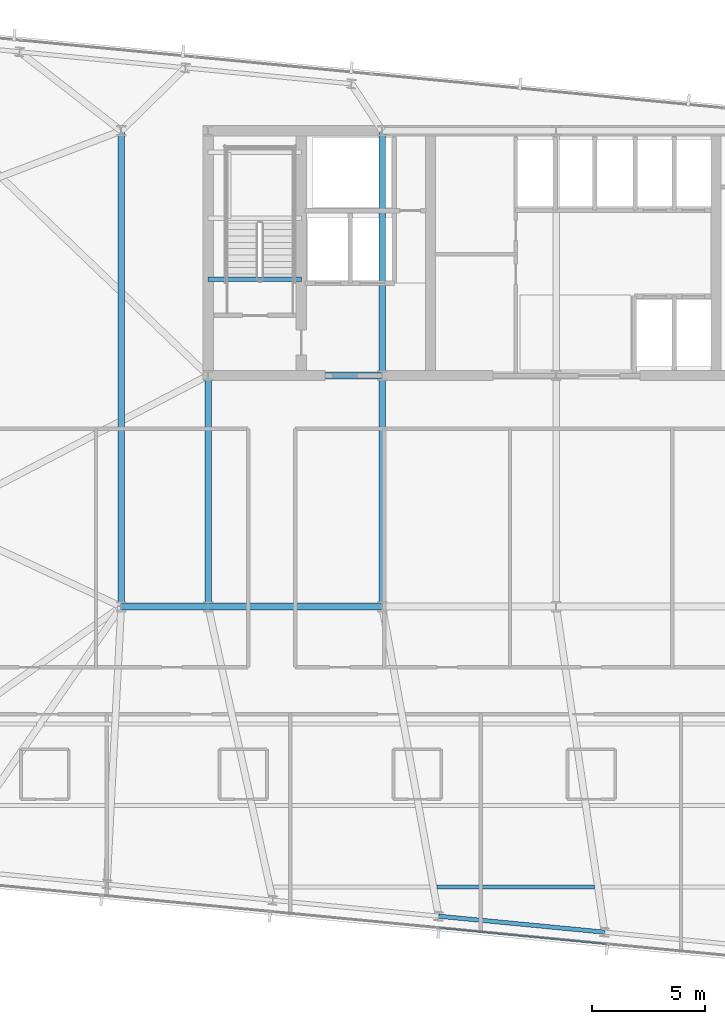
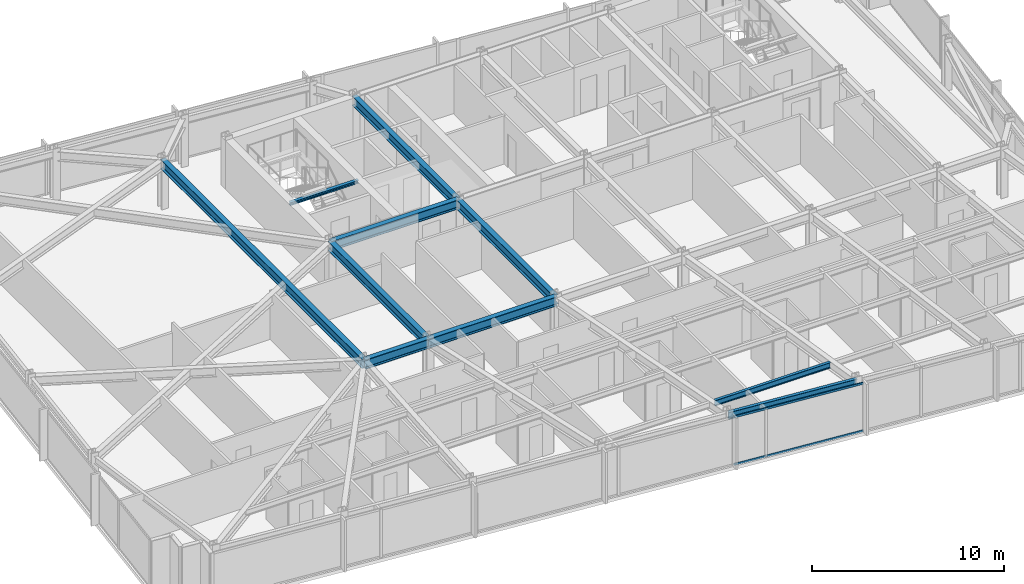
# One storey, part 11 of 38: 10 beams, 2 members, 1 element without a shape of its own.
"""IFC4 building model written with IfcOpenShell, lengths in metres."""

from ifc_helpers import new_model, si_unit, direction, frame, origin, origin_2d, place, context, subcontext, project, spatial, hollow_rectangle, i_section, extrude, material, material_profile, profile_set, type_object, element, aggregate, save


model = new_model("IFC4")

# Units and contexts
model_context = context("Model", 3, precision=1e-05, world=origin(), true_north=direction((0.0, 1.0)))
body_context = subcontext(model_context, "Body", "Model", "MODEL_VIEW")
ifc_project = project(units=[si_unit("LENGTHUNIT", "METRE"), si_unit("AREAUNIT", "SQUARE_METRE"), si_unit("VOLUMEUNIT", "CUBIC_METRE"), si_unit("PLANEANGLEUNIT", "RADIAN"), si_unit("MASSUNIT", "GRAM", prefix="KILO")], contexts=[model_context])

# Site, building, storey
site_placement = place(None, origin())
site = spatial("IfcSite", under=ifc_project, at=site_placement, CompositionType="ELEMENT")
building_placement = place(site_placement, origin())
building = spatial("IfcBuilding", under=site, at=building_placement, Name="Yelkora Congress Tower", CompositionType="ELEMENT")
storey_placement = place(building_placement, frame((0.0, 0.0, 185.300048828125)))
storey = spatial("IfcBuildingStorey", under=building, at=storey_placement, Name="L51", CompositionType="ELEMENT", Elevation=185.300048828125)

# Beams
ifc_material_1 = material(Name="Steel S355J2", Category="steel")
ifc_material_profile_1 = material_profile(ifc_material_1, i_section(OverallWidth=0.300048828125, OverallDepth=0.60009765625, WebThickness=0.015380859375, FlangeThickness=0.030029296875, FilletRadius=0.027099609375, at=origin_2d()), Name="HEB 600")
ifc_profile_set_1 = profile_set([ifc_material_profile_1], Name="Steel S355J2")
beam_type_1 = type_object("IfcBeamType", Name="BM-GIRD-HEB600", PredefinedType="BEAM", material=ifc_profile_set_1)
beam_1_placement = place(storey_placement, frame((19.199951171875, 25.199951171875, 2.780029296875), z_axis=(1.0, 0.0, 0.0), x_axis=(0.0, 1.0, 0.0)))
element("IfcBeam", 1, at=beam_1_placement, inside=storey, type_object=beam_type_1, Name="L51 Spine Grid D Girder 1", PredefinedType="BEAM", context=body_context, shape_type="SweptSolid", body=[
    extrude(i_section(OverallWidth=0.300048828125, OverallDepth=0.60009765625, WebThickness=0.015380859375, FlangeThickness=0.030029296875, FilletRadius=0.027099609375, at=origin_2d()), origin(), (0.0, 0.0, 1.0), 3.840087890625),
])
for number, where, z_axis, x_axis, name in (
    (2, (23.0400390625, 25.199951171875, 2.780029296875), (1.0, 0.0, 0.0), (0.0, 1.0, 0.0), "L51 Spine Grid D Girder 2"),
    (3, (23.0400390625, 35.39990234375, 2.780029296875), (1.0, 0.0, 0.0), (0.0, 1.0, 0.0), "L51 Core South Girder 1"),
):
    element("IfcBeam", number, at=place(storey_placement, frame(where, z_axis=z_axis, x_axis=x_axis)), inside=storey, type_object=beam_type_1, Name=name, PredefinedType="BEAM", context=body_context, shape_type="SweptSolid", body=[
        extrude(i_section(OverallWidth=0.300048828125, OverallDepth=0.60009765625, WebThickness=0.015380859375, FlangeThickness=0.030029296875, FilletRadius=0.027099609375, at=origin_2d()), origin(), (0.0, 0.0, 1.0), 7.679931640625),
    ])
for number, where, z_axis, x_axis, name in (
    (4, (23.0400390625, 25.199951171875, 2.780029296875), (0.0, 1.0, 0.0), (-1.0, 0.0, 0.0), "L51 Core Tie Girder MC-D1"),
    (5, (30.719970703125, 25.199951171875, 2.780029296875), (0.0, 1.0, 0.0), (-1.0, 0.0, 0.0), "L51 Core Tie Girder MC-D2"),
):
    element("IfcBeam", number, at=place(storey_placement, frame(where, z_axis=z_axis, x_axis=x_axis)), inside=storey, type_object=beam_type_1, Name=name, PredefinedType="BEAM", context=body_context, shape_type="SweptSolid", body=[
        extrude(i_section(OverallWidth=0.300048828125, OverallDepth=0.60009765625, WebThickness=0.015380859375, FlangeThickness=0.030029296875, FilletRadius=0.027099609375, at=origin_2d()), origin(), (0.0, 0.0, 1.0), 10.199951171875),
    ])
beam_2_placement = place(storey_placement, frame((30.719970703125, 35.39990234375, 2.780029296875), z_axis=(0.0, 1.0, 0.0), x_axis=(-1.0, 0.0, 0.0)))
element("IfcBeam", 6, at=beam_2_placement, inside=storey, type_object=beam_type_1, Name="L51 Core Tie Girder MC-S2", PredefinedType="BEAM", context=body_context, shape_type="SweptSolid", body=[
    extrude(i_section(OverallWidth=0.300048828125, OverallDepth=0.60009765625, WebThickness=0.015380859375, FlangeThickness=0.030029296875, FilletRadius=0.027099609375, at=origin_2d()), origin(), (0.0, 0.0, 1.0), 10.800048828125),
])
beam_3_placement = place(storey_placement, frame((19.199951171875, 25.199951171875, 2.780029296875), z_axis=(0.0, 1.0, 0.0), x_axis=(-1.0, 0.0, 0.0)))
element("IfcBeam", 7, at=beam_3_placement, inside=storey, type_object=beam_type_1, Name="L51 Neck Flank Girder MC-F1", PredefinedType="BEAM", context=body_context, shape_type="SweptSolid", body=[
    extrude(i_section(OverallWidth=0.300048828125, OverallDepth=0.60009765625, WebThickness=0.015380859375, FlangeThickness=0.030029296875, FilletRadius=0.027099609375, at=origin_2d()), origin(), (0.0, 0.0, 1.0), 21.0),
])
ifc_material_profile_2 = material_profile(ifc_material_1, i_section(OverallWidth=0.169921875, OverallDepth=0.360107421875, WebThickness=0.008056640625, FlangeThickness=0.0126953125, FilletRadius=0.01806640625, at=origin_2d()), Name="IPE 360")
ifc_profile_set_2 = profile_set([ifc_material_profile_2], Name="Steel S355J2")
beam_type_2 = type_object("IfcBeamType", Name="BM-JOIST-IPE360", PredefinedType="JOIST", material=ifc_profile_set_2)
beam_4_placement = place(storey_placement, frame((33.137939453125, 12.8212890625, 2.89990234375), z_axis=(1.0, 0.0, 0.0), x_axis=(0.0, 1.0, 0.0)))
element("IfcBeam", 8, at=beam_4_placement, inside=storey, type_object=beam_type_2, Name="L51 Composite Floor Joist 2", PredefinedType="JOIST", context=body_context, shape_type="SweptSolid", body=[
    extrude(i_section(OverallWidth=0.169921875, OverallDepth=0.360107421875, WebThickness=0.008056640625, FlangeThickness=0.0126953125, FilletRadius=0.01806640625, at=origin_2d()), origin(), (0.0, 0.0, 1.0), 6.94189453125),
])
ifc_material_profile_3 = material_profile(ifc_material_1, i_section(OverallWidth=0.199951171875, OverallDepth=0.18994140625, WebThickness=0.006591796875, FlangeThickness=0.010009765625, FilletRadius=0.01806640625, at=origin_2d()), Name="HEA 200")
ifc_profile_set_3 = profile_set([ifc_material_profile_3], Name="Steel S355J2")
beam_type_3 = type_object("IfcBeamType", Name="BM-LAND-HEA200", PredefinedType="BEAM", material=ifc_profile_set_3)
beam_5_placement = place(storey_placement, frame((23.0400390625, 39.639892578125, 2.853759765625), z_axis=(1.0, 0.0, 0.0), x_axis=(0.0, 1.0, 0.0)))
element("IfcBeam", 9, at=beam_5_placement, inside=storey, type_object=beam_type_3, Name="ST-01 L51 Floor Arrival Stringer Header Beam", PredefinedType="BEAM", context=body_context, shape_type="SweptSolid", body=[
    extrude(i_section(OverallWidth=0.199951171875, OverallDepth=0.18994140625, WebThickness=0.006591796875, FlangeThickness=0.010009765625, FilletRadius=0.01806640625, at=origin_2d()), origin(), (0.0, 0.0, 1.0), 4.10986328125),
])
ifc_material_profile_4 = material_profile(ifc_material_1, i_section(OverallWidth=0.18994140625, OverallDepth=0.449951171875, WebThickness=0.009521484375, FlangeThickness=0.0146484375, FilletRadius=0.02099609375, at=origin_2d()), Name="IPE 450")
ifc_profile_set_4 = profile_set([ifc_material_profile_4], Name="Steel S355J2")
beam_type_4 = type_object("IfcBeamType", Name="BM-SPAN-IPE450", PredefinedType="SPANDREL", material=ifc_profile_set_4)
beam_6_placement = place(storey_placement, frame((33.21240234375, 11.53662109375, 2.85498046875), z_axis=(0.995397104697, -0.095836339457, 0.0), x_axis=(0.095836339457, 0.995397104697, 0.0)))
element("IfcBeam", 10, at=beam_6_placement, inside=storey, type_object=beam_type_4, Name="L51 Perimeter Beam 6", PredefinedType="SPANDREL", context=body_context, shape_type="SweptSolid", body=[
    extrude(i_section(OverallWidth=0.18994140625, OverallDepth=0.449951171875, WebThickness=0.009521484375, FlangeThickness=0.0146484375, FilletRadius=0.02099609375, at=origin_2d()), origin(), (0.0, 0.0, 1.0), 7.357177734375),
])

# Curtain wall, members
ifc_material_2 = material(Name="Anodised aluminium and insulated glass", Category="aluminium")
curtain_wall_type = type_object("IfcCurtainWallType", Name="CW-SYS-B3", PredefinedType="NOTDEFINED", material=ifc_material_2)
curtain_wall_placement = place(storey_placement, origin())
curtain_wall = element("IfcCurtainWall", 11, at=curtain_wall_placement, inside=storey, type_object=curtain_wall_type, Name="L51 Unitised Curtain Wall 20", PredefinedType="NOTDEFINED")
ifc_material_3 = material(Name="Anodised aluminium 6063-T6", Category="aluminium")
ifc_material_profile_5 = material_profile(ifc_material_3, hollow_rectangle(XDim=0.06005859375, YDim=0.1298828125, WallThickness=0.00390625, at=origin_2d()), Name="ALU 60x130x4")
ifc_profile_set_5 = profile_set([ifc_material_profile_5], Name="Anodised aluminium 6063-T6")
member_type = type_object("IfcMemberType", Name="MEM-TR-B3", PredefinedType="USERDEFINED", material=ifc_profile_set_5)
member_1_placement = place(storey_placement, frame((40.626708984375, 10.310302734375, 0.030029296875), z_axis=(-0.99539548672, 0.095853142967, 0.0), x_axis=(-0.095853142967, -0.99539548672, 0.0)))
member_1 = element("IfcMember", 12, at=member_1_placement, type_object=member_type, Name="CW-B3 transom 3.1", ObjectType="TRANSOM", PredefinedType="USERDEFINED", context=body_context, shape_type="SweptSolid", body=[
    extrude(hollow_rectangle(XDim=0.06005859375, YDim=0.1298828125, WallThickness=0.00390625, at=origin_2d()), origin(), (0.0, 0.0, 1.0), 7.404296875),
])
member_2_placement = place(storey_placement, frame((40.626708984375, 10.310302734375, 3.050048828125), z_axis=(-0.99539548672, 0.095853142967, 0.0), x_axis=(-0.095853142967, -0.99539548672, 0.0)))
member_2 = element("IfcMember", 13, at=member_2_placement, type_object=member_type, Name="CW-B3 transom 3.2", ObjectType="TRANSOM", PredefinedType="USERDEFINED", context=body_context, shape_type="SweptSolid", body=[
    extrude(hollow_rectangle(XDim=0.06005859375, YDim=0.1298828125, WallThickness=0.00390625, at=origin_2d()), origin(), (0.0, 0.0, 1.0), 7.404296875),
])
aggregate(curtain_wall, [member_1, member_2])

save(model, "model.ifc")
